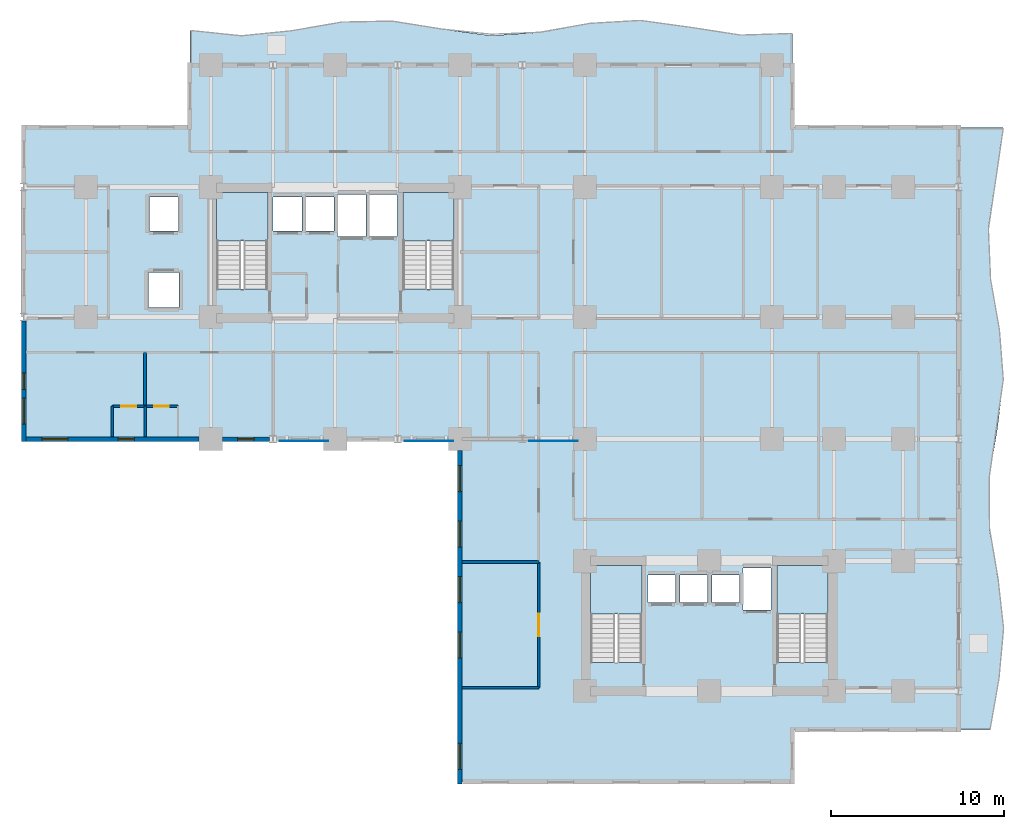
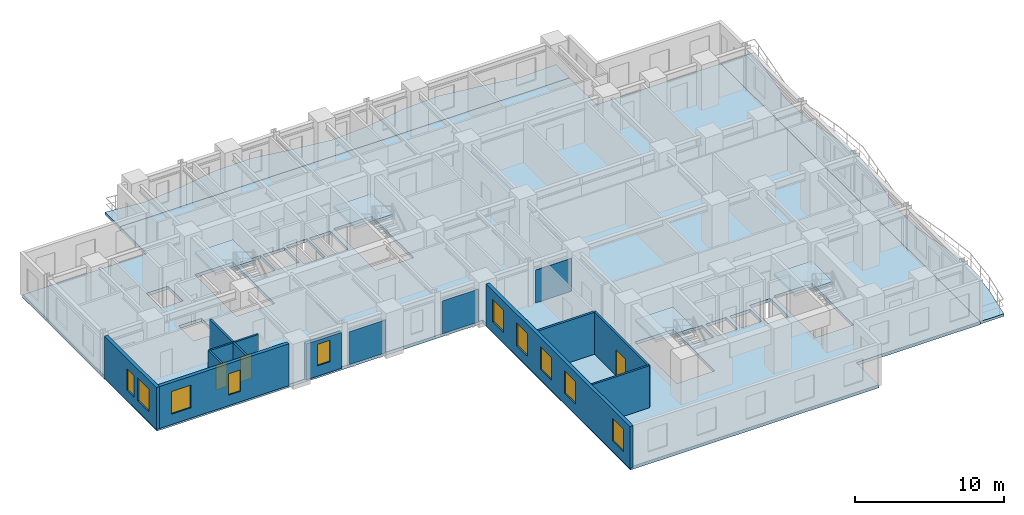
# One storey, part 2 of 11: 12 walls, 10 windows, 7 slabs, 3 doors, 3 plates, 13 openings, 4 elements without a shape of their own.
"""IFC4 building model written with IfcOpenShell, lengths in metres."""

from ifc_helpers import new_model, si_unit, direction, frame, frame_2d, origin, origin_2d, place, context, subcontext, project, spatial, polyline, rectangle, outline, extrude, source, transform, mapped, material, layer, layer_set, type_object, element, fill, aggregate, save


model = new_model("IFC4")

# Units and contexts
model_context = context("Model", 3, precision=1e-05, world=origin(), true_north=direction((0.0, 1.0)))
body_context = subcontext(model_context, "Body", "Model", "MODEL_VIEW")
ifc_project = project(units=[si_unit("LENGTHUNIT", "METRE"), si_unit("AREAUNIT", "SQUARE_METRE"), si_unit("VOLUMEUNIT", "CUBIC_METRE"), si_unit("PLANEANGLEUNIT", "RADIAN"), si_unit("MASSUNIT", "GRAM", prefix="KILO")], contexts=[model_context])

# Site, building, storey
site_placement = place(None, origin())
site = spatial("IfcSite", under=ifc_project, at=site_placement, CompositionType="ELEMENT")
building_placement = place(site_placement, origin())
building = spatial("IfcBuilding", under=site, at=building_placement, Name="Kaliganga Portal Commons", CompositionType="ELEMENT")
storey_placement = place(building_placement, frame((0.0, 0.0, 51.199951171875)))
storey = spatial("IfcBuildingStorey", under=building, at=storey_placement, Name="L12", CompositionType="ELEMENT", Elevation=51.199951171875)

# Slabs
ifc_material_1 = material(Name="Concrete C40/50", Category="concrete")
ifc_layer_1 = layer(ifc_material_1, 0.2099609375)
ifc_layer_set_1 = layer_set([ifc_layer_1], Name="Concrete C40/50")
slab_type_1 = type_object("IfcSlabType", Name="SLB-BALC-210", PredefinedType="FLOOR", material=ifc_layer_set_1)
slab_1_placement = place(storey_placement, frame((0.0, 0.0, -0.2099609375)))
element("IfcSlab", 1, at=slab_1_placement, inside=storey, type_object=slab_type_1, Name="Scalloped Tree-Planter Balcony Slab L12 balc_north", PredefinedType="FLOOR", context=body_context, shape_type="SweptSolid", body=[
    extrude(outline(polyline([(48.0, 43.199951171875), (48.0, 45.020263671875), (45.10009765625, 44.927978515625), (42.199951171875, 45.376708984375), (39.300048828125, 45.781982421875), (36.39990234375, 45.615478515625), (33.5, 45.094482421875), (30.60009765625, 44.8974609375), (27.699951171875, 45.28125), (24.800048828125, 45.745849609375), (21.89990234375, 45.685791015625), (19.0, 45.1796875), (16.10009765625, 44.886474609375), (13.199951171875, 45.1884765625), (13.199951171875, 43.199951171875), (48.0, 43.199951171875)])), origin(), (0.0, 0.0, 1.0), 0.2099609375),
])
slab_2_placement = place(storey_placement, frame((0.0, 0.0, -0.2099609375)))
element("IfcSlab", 2, at=slab_2_placement, inside=storey, type_object=slab_type_1, Name="Scalloped Tree-Planter Balcony Slab L12 balc_east", PredefinedType="FLOOR", context=body_context, shape_type="SweptSolid", body=[
    extrude(outline(polyline([(57.60009765625, 4.800048828125), (59.42041015625, 4.800048828125), (59.933349609375, 7.699951171875), (60.19873046875, 10.60009765625), (59.87060546875, 13.5), (59.376708984375, 16.39990234375), (59.360107421875, 19.300048828125), (59.843017578125, 22.199951171875), (60.19580078125, 25.10009765625), (59.958984375, 28.0), (59.441162109375, 30.89990234375), (59.31689453125, 33.800048828125), (59.748046875, 36.699951171875), (60.173095703125, 39.60009765625), (57.60009765625, 39.60009765625), (57.60009765625, 4.800048828125)])), origin(), (0.0, 0.0, 1.0), 0.2099609375),
])

# Stair, slab
stair_type = type_object("IfcStairType", Name="ST-CORE-DOGLEG", PredefinedType="HALF_TURN_STAIR", material=ifc_material_1)
stair_1_placement = place(storey_placement, origin())
stair_1 = element("IfcStair", 3, at=stair_1_placement, inside=storey, type_object=stair_type, Name="L12 Protected Exit Stair ST-A1", PredefinedType="HALF_TURN_STAIR")
ifc_layer_2 = layer(ifc_material_1, 0.199951171875)
ifc_layer_set_2 = layer_set([ifc_layer_2], Name="Concrete C40/50")
slab_type_2 = type_object("IfcSlabType", Name="SLB-STAIR-LND", PredefinedType="LANDING", material=ifc_layer_set_2)
slab_3_placement = place(storey_placement, frame((0.0, 0.0, 1.650146484375)))
slab_3 = element("IfcSlab", 4, at=slab_3_placement, type_object=slab_type_2, Name="ST-A1 landing 1", PredefinedType="LANDING", context=body_context, shape_type="SweptSolid", body=[
    extrude(outline(polyline([(17.699951171875, 33.050048828125), (17.699951171875, 35.85009765625), (14.75, 35.85009765625), (14.75, 33.050048828125), (17.699951171875, 33.050048828125)])), origin(), (0.0, 0.0, 1.0), 0.199951171875),
])
aggregate(stair_1, [slab_3])

stair_2_placement = place(storey_placement, origin())
stair_2 = element("IfcStair", 5, at=stair_2_placement, inside=storey, type_object=stair_type, Name="L12 Protected Exit Stair ST-A2", PredefinedType="HALF_TURN_STAIR")
slab_4_placement = place(storey_placement, frame((0.0, 0.0, 1.650146484375)))
slab_4 = element("IfcSlab", 6, at=slab_4_placement, type_object=slab_type_2, Name="ST-A2 landing 1", PredefinedType="LANDING", context=body_context, shape_type="SweptSolid", body=[
    extrude(outline(polyline([(28.449951171875, 33.050048828125), (28.449951171875, 35.85009765625), (25.5, 35.85009765625), (25.5, 33.050048828125), (28.449951171875, 33.050048828125)])), origin(), (0.0, 0.0, 1.0), 0.199951171875),
])
aggregate(stair_2, [slab_4])

stair_3_placement = place(storey_placement, origin())
stair_3 = element("IfcStair", 7, at=stair_3_placement, inside=storey, type_object=stair_type, Name="L12 Protected Exit Stair ST-B1", PredefinedType="HALF_TURN_STAIR")
slab_5_placement = place(storey_placement, frame((0.0, 0.0, 1.650146484375)))
slab_5 = element("IfcSlab", 8, at=slab_5_placement, type_object=slab_type_2, Name="ST-B1 landing 1", PredefinedType="LANDING", context=body_context, shape_type="SweptSolid", body=[
    extrude(outline(polyline([(39.300048828125, 11.5), (39.300048828125, 14.300048828125), (36.35009765625, 14.300048828125), (36.35009765625, 11.5), (39.300048828125, 11.5)])), origin(), (0.0, 0.0, 1.0), 0.199951171875),
])
aggregate(stair_3, [slab_5])

stair_4_placement = place(storey_placement, origin())
stair_4 = element("IfcStair", 9, at=stair_4_placement, inside=storey, type_object=stair_type, Name="L12 Protected Exit Stair ST-B2", PredefinedType="HALF_TURN_STAIR")
slab_6_placement = place(storey_placement, frame((0.0, 0.0, 1.650146484375)))
slab_6 = element("IfcSlab", 10, at=slab_6_placement, type_object=slab_type_2, Name="ST-B2 landing 1", PredefinedType="LANDING", context=body_context, shape_type="SweptSolid", body=[
    extrude(outline(polyline([(50.050048828125, 11.5), (50.050048828125, 14.300048828125), (47.10009765625, 14.300048828125), (47.10009765625, 11.5), (50.050048828125, 11.5)])), origin(), (0.0, 0.0, 1.0), 0.199951171875),
])
aggregate(stair_4, [slab_6])

# Slab
ifc_layer_3 = layer(ifc_material_1, 0.25)
ifc_layer_set_3 = layer_set([ifc_layer_3], Name="Concrete C40/50")
slab_type_3 = type_object("IfcSlabType", Name="SLB-TWR-250", PredefinedType="FLOOR", material=ifc_layer_set_3)
slab_7_placement = place(storey_placement, frame((0.0, 0.0, -0.25)))
element("IfcSlab", 11, at=slab_7_placement, inside=storey, type_object=slab_type_3, Name="Structural Floor Slab L12", PredefinedType="FLOOR", context=body_context, shape_type="SweptSolid", body=[
    extrude(outline(polyline([(28.800048828125, 1.800048828125), (48.0, 1.800048828125), (48.0, 4.800048828125), (57.60009765625, 4.800048828125), (57.60009765625, 39.60009765625), (48.0, 39.60009765625), (48.0, 43.199951171875), (13.199951171875, 43.199951171875), (13.199951171875, 39.60009765625), (3.60009765625, 39.60009765625), (3.60009765625, 21.60009765625), (28.800048828125, 21.60009765625), (28.800048828125, 1.800048828125)]), holes=[polyline([(14.75, 30.25390625), (14.75, 35.85009765625), (17.699951171875, 35.85009765625), (17.699951171875, 30.25390625), (14.75, 30.25390625)]), polyline([(25.5, 30.25390625), (25.5, 35.85009765625), (28.449951171875, 35.85009765625), (28.449951171875, 30.25390625), (25.5, 30.25390625)]), polyline([(36.35009765625, 8.7041015625), (36.35009765625, 14.300048828125), (39.300048828125, 14.300048828125), (39.300048828125, 8.7041015625), (36.35009765625, 8.7041015625)]), polyline([(47.10009765625, 8.7041015625), (47.10009765625, 14.300048828125), (50.050048828125, 14.300048828125), (50.050048828125, 8.7041015625), (47.10009765625, 8.7041015625)]), polyline([(18.014892578125, 33.614990234375), (18.014892578125, 35.5849609375), (19.68505859375, 35.5849609375), (19.68505859375, 33.614990234375), (18.014892578125, 33.614990234375)]), polyline([(19.864990234375, 33.614990234375), (19.864990234375, 35.5849609375), (21.534912109375, 35.5849609375), (21.534912109375, 33.614990234375), (19.864990234375, 33.614990234375)]), polyline([(10.81494140625, 29.18994140625), (10.81494140625, 31.2099609375), (12.5849609375, 31.2099609375), (12.5849609375, 29.18994140625), (10.81494140625, 29.18994140625)]), polyline([(10.864990234375, 33.614990234375), (10.864990234375, 35.5849609375), (12.534912109375, 35.5849609375), (12.534912109375, 33.614990234375), (10.864990234375, 33.614990234375)]), polyline([(21.739990234375, 33.2900390625), (21.739990234375, 35.7099609375), (23.360107421875, 35.7099609375), (23.360107421875, 33.2900390625), (21.739990234375, 33.2900390625)]), polyline([(23.5400390625, 33.2900390625), (23.5400390625, 35.7099609375), (25.159912109375, 35.7099609375), (25.159912109375, 33.2900390625), (23.5400390625, 33.2900390625)]), polyline([(39.6650390625, 12.1650390625), (39.6650390625, 13.735107421875), (41.235107421875, 13.735107421875), (41.235107421875, 12.1650390625), (39.6650390625, 12.1650390625)]), polyline([(41.514892578125, 12.1650390625), (41.514892578125, 13.735107421875), (43.0849609375, 13.735107421875), (43.0849609375, 12.1650390625), (41.514892578125, 12.1650390625)]), polyline([(43.364990234375, 12.1650390625), (43.364990234375, 13.735107421875), (44.93505859375, 13.735107421875), (44.93505859375, 12.1650390625), (43.364990234375, 12.1650390625)]), polyline([(45.139892578125, 11.739990234375), (45.139892578125, 14.159912109375), (46.760009765625, 14.159912109375), (46.760009765625, 11.739990234375), (45.139892578125, 11.739990234375)])]), origin(), (0.0, 0.0, 1.0), 0.25),
])

# Plates
ifc_material_2 = material(Name="Perforated Bronze-Anodized Aluminium Solar Screen", Category="aluminium")
ifc_layer_4 = layer(ifc_material_2, 0.01806640625)
ifc_layer_set_4 = layer_set([ifc_layer_4], Name="Perforated Bronze-Anodized Aluminium Solar Screen")
plate_type = type_object("IfcPlateType", Name="PLT-SCR-18", PredefinedType="USERDEFINED", material=ifc_layer_set_4)
shared_shape = source(origin(), body_context, "Body", "SweptSolid", [
    extrude(rectangle(XDim=2.800048828125, YDim=0.01806640625, at=origin_2d()), origin(), (0.0, 0.0, 1.0), 2.68994140625),
])
for number, where, z_axis, x_axis, name in (
    (12, (19.800048828125, 21.47998046875, 0.080078125), (0.0, 0.0, 1.0), (1.0, 0.0, 0.0), "Perforated Solar Screen L12-S1"),
    (13, (27.0, 21.47998046875, 0.080078125), (0.0, 0.0, 1.0), (1.0, 0.0, 0.0), "Perforated Solar Screen L12-S2"),
    (14, (34.199951171875, 21.47998046875, 0.080078125), (0.0, 0.0, 1.0), (1.0, 0.0, 0.0), "Perforated Solar Screen L12-S3"),
):
    element("IfcPlate", number, at=place(storey_placement, frame(where, z_axis=z_axis, x_axis=x_axis)), inside=storey, type_object=plate_type, Name=name, ObjectType="SOLAR SCREEN", PredefinedType="USERDEFINED", context=body_context, shape_type="MappedRepresentation", body=[
        mapped(shared_shape, transform((0.0, 0.0, 0.0), x_axis=(1.0, 0.0, 0.0), y_axis=(0.0, 1.0, 0.0), z_axis=(0.0, 0.0, 1.0), scale=1.0)),
    ])

# Wall, openings, windows
ifc_material_3 = material(Name="Insulated Aluminium-Clad Spandrel Assembly", Category="aluminium")
ifc_layer_5 = layer(ifc_material_3, 0.260009765625)
ifc_layer_set_5 = layer_set([ifc_layer_5], Name="Insulated Aluminium-Clad Spandrel Assembly")
wall_type_1 = type_object("IfcWallType", Name="WL-EXT-SPAND-260", PredefinedType="STANDARD", material=ifc_layer_set_5)
wall_1_placement = place(storey_placement, frame((3.60009765625, 21.469970703125, 0.0), z_axis=(0.0, 0.0, 1.0), x_axis=(0.0, 1.0, 0.0)))
wall_1 = element("IfcWall", 15, at=wall_1_placement, inside=storey, type_object=wall_type_1, Name="Exterior Envelope Wall L12 P1-E09-S3", PredefinedType="STANDARD", context=body_context, shape_type="SweptSolid", body=[
    extrude(rectangle(XDim=6.9560546875, YDim=0.260009765625, at=frame_2d((3.47802734375, 0.0))), origin(), (0.0, 0.0, 1.0), 3.429931640625),
])
opening_1_placement = place(wall_1_placement, frame((0.989013671875, 0.0, 0.85009765625)))
opening_1 = element("IfcOpeningElement", 16, at=opening_1_placement, cuts=wall_1, Name="Opening W-02", PredefinedType="OPENING", context=body_context, shape_type="SweptSolid", body=[
    extrude(rectangle(XDim=1.5, YDim=1.85009765625, at=frame_2d((0.75, 0.925048828125))), frame((0.0, 0.14013671875, 0.0), z_axis=(0.0, -1.0, 0.0), x_axis=(1.0, 0.0, 0.0)), (0.0, 0.0, 1.0), 0.280029296875),
])
opening_2_placement = place(wall_1_placement, frame((3.0029296875, 0.0, 0.85009765625)))
opening_2 = element("IfcOpeningElement", 17, at=opening_2_placement, cuts=wall_1, Name="Opening W-04", PredefinedType="OPENING", context=body_context, shape_type="SweptSolid", body=[
    extrude(rectangle(XDim=0.949951171875, YDim=1.75, at=frame_2d((0.47509765625, 0.875))), frame((0.0, 0.14013671875, 0.0), z_axis=(0.0, -1.0, 0.0), x_axis=(1.0, 0.0, 0.0)), (0.0, 0.0, 1.0), 0.280029296875),
])
ifc_material_4 = material(Name="Thermally Broken Aluminium and Low-E Double Glazing", Category="aluminium")
window_type_1 = type_object("IfcWindowType", Name="WIN-NARROW-950", PartitioningType="SINGLE_PANEL", PredefinedType="WINDOW", material=ifc_material_4)
window_1_placement = place(opening_2_placement, origin())
window_1 = element("IfcWindow", 18, at=window_1_placement, inside=storey, type_object=window_type_1, Name="Facade Window L12-P1E09S3-N0", OverallHeight=1.75, OverallWidth=0.949951171875, PartitioningType="SINGLE_PANEL", PredefinedType="WINDOW", context=body_context, shape_type="SweptSolid", body=[
    extrude(rectangle(XDim=0.949951171875, YDim=1.75, at=frame_2d((0.47509765625, 0.875))), frame((0.0, 0.030029296875, 0.0), z_axis=(0.0, -1.0, 0.0), x_axis=(1.0, 0.0, 0.0)), (0.0, 0.0, 1.0), 0.06005859375),
])
fill(opening_2, window_1)
window_type_2 = type_object("IfcWindowType", Name="WIN-STD-1500", PartitioningType="DOUBLE_PANEL_VERTICAL", PredefinedType="WINDOW", material=ifc_material_4)
window_2_placement = place(opening_1_placement, origin())
window_2 = element("IfcWindow", 19, at=window_2_placement, inside=storey, type_object=window_type_2, Name="Facade Window L12-P1E09S3-00", OverallHeight=1.85009765625, OverallWidth=1.5, PartitioningType="SINGLE_PANEL", PredefinedType="WINDOW", context=body_context, shape_type="SweptSolid", body=[
    extrude(rectangle(XDim=1.5, YDim=1.85009765625, at=frame_2d((0.75, 0.925048828125))), frame((0.0, 0.030029296875, 0.0), z_axis=(0.0, -1.0, 0.0), x_axis=(1.0, 0.0, 0.0)), (0.0, 0.0, 1.0), 0.06005859375),
])
fill(opening_1, window_2)

wall_2_placement = place(storey_placement, frame((13.72412109375, 21.60009765625, 0.0), z_axis=(0.0, 0.0, 1.0), x_axis=(-1.0, 0.0, 0.0)))
wall_2 = element("IfcWall", 20, at=wall_2_placement, inside=storey, type_object=wall_type_1, Name="Exterior Envelope Wall L12 P1-E10-S1", PredefinedType="STANDARD", context=body_context, shape_type="SweptSolid", body=[
    extrude(rectangle(XDim=9.989013671875, YDim=0.260009765625, at=frame_2d((4.99462890625, 0.0))), origin(), (0.0, 0.0, 1.0), 3.429931640625),
])
opening_3_placement = place(wall_2_placement, frame((7.57421875, 0.0, 0.85009765625)))
opening_3 = element("IfcOpeningElement", 21, at=opening_3_placement, cuts=wall_2, Name="Opening W-02", PredefinedType="OPENING", context=body_context, shape_type="SweptSolid", body=[
    extrude(rectangle(XDim=1.5, YDim=1.85009765625, at=frame_2d((0.75, 0.925048828125))), frame((0.0, 0.14013671875, 0.0), z_axis=(0.0, -1.0, 0.0), x_axis=(1.0, 0.0, 0.0)), (0.0, 0.0, 1.0), 0.280029296875),
])
opening_4_placement = place(wall_2_placement, frame((3.720458984375, 0.0, 0.85009765625)))
opening_4 = element("IfcOpeningElement", 22, at=opening_4_placement, cuts=wall_2, Name="Opening W-04", PredefinedType="OPENING", context=body_context, shape_type="SweptSolid", body=[
    extrude(rectangle(XDim=0.949951171875, YDim=1.75, at=frame_2d((0.47509765625, 0.875))), frame((0.0, 0.14013671875, 0.0), z_axis=(0.0, -1.0, 0.0), x_axis=(1.0, 0.0, 0.0)), (0.0, 0.0, 1.0), 0.280029296875),
])
window_3_placement = place(opening_4_placement, origin())
window_3 = element("IfcWindow", 23, at=window_3_placement, inside=storey, type_object=window_type_1, Name="Facade Window L12-P1E10S1-N5", OverallHeight=1.75, OverallWidth=0.949951171875, PartitioningType="SINGLE_PANEL", PredefinedType="WINDOW", context=body_context, shape_type="SweptSolid", body=[
    extrude(rectangle(XDim=0.949951171875, YDim=1.75, at=frame_2d((0.47509765625, 0.875))), frame((0.0, 0.030029296875, 0.0), z_axis=(0.0, -1.0, 0.0), x_axis=(1.0, 0.0, 0.0)), (0.0, 0.0, 1.0), 0.06005859375),
])
fill(opening_4, window_3)
window_4_placement = place(opening_3_placement, origin())
window_4 = element("IfcWindow", 24, at=window_4_placement, inside=storey, type_object=window_type_2, Name="Facade Window L12-P1E10S1-02", OverallHeight=1.85009765625, OverallWidth=1.5, PartitioningType="SINGLE_PANEL", PredefinedType="WINDOW", context=body_context, shape_type="SweptSolid", body=[
    extrude(rectangle(XDim=1.5, YDim=1.85009765625, at=frame_2d((0.75, 0.925048828125))), frame((0.0, 0.030029296875, 0.0), z_axis=(0.0, -1.0, 0.0), x_axis=(1.0, 0.0, 0.0)), (0.0, 0.0, 1.0), 0.06005859375),
])
fill(opening_3, window_4)

# Wall, opening, window
wall_3_placement = place(storey_placement, frame((17.791015625, 21.60009765625, 0.0), z_axis=(0.0, 0.0, 1.0), x_axis=(-1.0, 0.0, 0.0)))
wall_3 = element("IfcWall", 25, at=wall_3_placement, inside=storey, type_object=wall_type_1, Name="Exterior Envelope Wall L12 P1-E10-S2", PredefinedType="STANDARD", context=body_context, shape_type="SweptSolid", body=[
    extrude(rectangle(XDim=2.715087890625, YDim=0.260009765625, at=frame_2d((1.357421875, 0.0))), origin(), (0.0, 0.0, 1.0), 2.929931640625),
])
opening_5_placement = place(wall_3_placement, frame((0.882568359375, 0.0, 0.85009765625)))
opening_5 = element("IfcOpeningElement", 26, at=opening_5_placement, cuts=wall_3, Name="Opening W-04", PredefinedType="OPENING", context=body_context, shape_type="SweptSolid", body=[
    extrude(rectangle(XDim=0.949951171875, YDim=1.75, at=frame_2d((0.47509765625, 0.875))), frame((0.0, 0.14013671875, 0.0), z_axis=(0.0, -1.0, 0.0), x_axis=(1.0, 0.0, 0.0)), (0.0, 0.0, 1.0), 0.280029296875),
])
window_5_placement = place(opening_5_placement, origin())
window_5 = element("IfcWindow", 27, at=window_5_placement, inside=storey, type_object=window_type_1, Name="Facade Window L12-P1E10S2-00", OverallHeight=1.75, OverallWidth=0.949951171875, PartitioningType="SINGLE_PANEL", PredefinedType="WINDOW", context=body_context, shape_type="SweptSolid", body=[
    extrude(rectangle(XDim=0.949951171875, YDim=1.75, at=frame_2d((0.47509765625, 0.875))), frame((0.0, 0.030029296875, 0.0), z_axis=(0.0, -1.0, 0.0), x_axis=(1.0, 0.0, 0.0)), (0.0, 0.0, 1.0), 0.06005859375),
])
fill(opening_5, window_5)

# Wall, openings, windows
wall_4_placement = place(storey_placement, frame((28.800048828125, 1.669921875, 0.0), z_axis=(0.0, 0.0, 1.0), x_axis=(0.0, 1.0, 0.0)))
wall_4 = element("IfcWall", 28, at=wall_4_placement, inside=storey, type_object=wall_type_1, Name="Exterior Envelope Wall L12 P1-E11-S1", PredefinedType="STANDARD", context=body_context, shape_type="SweptSolid", body=[
    extrude(rectangle(XDim=19.254150390625, YDim=0.260009765625, at=frame_2d((9.626953125, 0.0))), origin(), (0.0, 0.0, 1.0), 3.429931640625),
])
opening_6_placement = place(wall_4_placement, frame((0.8544921875, 0.0, 0.85009765625)))
opening_6 = element("IfcOpeningElement", 29, at=opening_6_placement, cuts=wall_4, Name="Opening W-02", PredefinedType="OPENING", context=body_context, shape_type="SweptSolid", body=[
    extrude(rectangle(XDim=1.5, YDim=1.85009765625, at=frame_2d((0.75, 0.925048828125))), frame((0.0, 0.14013671875, 0.0), z_axis=(0.0, -1.0, 0.0), x_axis=(1.0, 0.0, 0.0)), (0.0, 0.0, 1.0), 0.280029296875),
])
opening_7_placement = place(wall_4_placement, frame((7.2724609375, 0.0, 0.85009765625)))
opening_7 = element("IfcOpeningElement", 30, at=opening_7_placement, cuts=wall_4, Name="Opening W-02", PredefinedType="OPENING", context=body_context, shape_type="SweptSolid", body=[
    extrude(rectangle(XDim=1.5, YDim=1.85009765625, at=frame_2d((0.75, 0.925048828125))), frame((0.0, 0.14013671875, 0.0), z_axis=(0.0, -1.0, 0.0), x_axis=(1.0, 0.0, 0.0)), (0.0, 0.0, 1.0), 0.280029296875),
])
opening_8_placement = place(wall_4_placement, frame((10.4814453125, 0.0, 0.85009765625)))
opening_8 = element("IfcOpeningElement", 31, at=opening_8_placement, cuts=wall_4, Name="Opening W-02", PredefinedType="OPENING", context=body_context, shape_type="SweptSolid", body=[
    extrude(rectangle(XDim=1.5, YDim=1.85009765625, at=frame_2d((0.75, 0.925048828125))), frame((0.0, 0.14013671875, 0.0), z_axis=(0.0, -1.0, 0.0), x_axis=(1.0, 0.0, 0.0)), (0.0, 0.0, 1.0), 0.280029296875),
])
opening_9_placement = place(wall_4_placement, frame((13.6904296875, 0.0, 0.85009765625)))
opening_9 = element("IfcOpeningElement", 32, at=opening_9_placement, cuts=wall_4, Name="Opening W-02", PredefinedType="OPENING", context=body_context, shape_type="SweptSolid", body=[
    extrude(rectangle(XDim=1.5, YDim=1.85009765625, at=frame_2d((0.75, 0.925048828125))), frame((0.0, 0.14013671875, 0.0), z_axis=(0.0, -1.0, 0.0), x_axis=(1.0, 0.0, 0.0)), (0.0, 0.0, 1.0), 0.280029296875),
])
opening_10_placement = place(wall_4_placement, frame((16.8994140625, 0.0, 0.85009765625)))
opening_10 = element("IfcOpeningElement", 33, at=opening_10_placement, cuts=wall_4, Name="Opening W-02", PredefinedType="OPENING", context=body_context, shape_type="SweptSolid", body=[
    extrude(rectangle(XDim=1.5, YDim=1.85009765625, at=frame_2d((0.75, 0.925048828125))), frame((0.0, 0.14013671875, 0.0), z_axis=(0.0, -1.0, 0.0), x_axis=(1.0, 0.0, 0.0)), (0.0, 0.0, 1.0), 0.280029296875),
])
window_6_placement = place(opening_6_placement, origin())
window_6 = element("IfcWindow", 34, at=window_6_placement, inside=storey, type_object=window_type_2, Name="Facade Window L12-P1E11S1-00", OverallHeight=1.85009765625, OverallWidth=1.5, PartitioningType="SINGLE_PANEL", PredefinedType="WINDOW", context=body_context, shape_type="SweptSolid", body=[
    extrude(rectangle(XDim=1.5, YDim=1.85009765625, at=frame_2d((0.75, 0.925048828125))), frame((0.0, 0.030029296875, 0.0), z_axis=(0.0, -1.0, 0.0), x_axis=(1.0, 0.0, 0.0)), (0.0, 0.0, 1.0), 0.06005859375),
])
fill(opening_6, window_6)
window_7_placement = place(opening_7_placement, origin())
window_7 = element("IfcWindow", 35, at=window_7_placement, inside=storey, type_object=window_type_2, Name="Facade Window L12-P1E11S1-02", OverallHeight=1.85009765625, OverallWidth=1.5, PartitioningType="SINGLE_PANEL", PredefinedType="WINDOW", context=body_context, shape_type="SweptSolid", body=[
    extrude(rectangle(XDim=1.5, YDim=1.85009765625, at=frame_2d((0.75, 0.925048828125))), frame((0.0, 0.030029296875, 0.0), z_axis=(0.0, -1.0, 0.0), x_axis=(1.0, 0.0, 0.0)), (0.0, 0.0, 1.0), 0.06005859375),
])
fill(opening_7, window_7)
window_8_placement = place(opening_8_placement, origin())
window_8 = element("IfcWindow", 36, at=window_8_placement, inside=storey, type_object=window_type_2, Name="Facade Window L12-P1E11S1-03", OverallHeight=1.85009765625, OverallWidth=1.5, PartitioningType="SINGLE_PANEL", PredefinedType="WINDOW", context=body_context, shape_type="SweptSolid", body=[
    extrude(rectangle(XDim=1.5, YDim=1.85009765625, at=frame_2d((0.75, 0.925048828125))), frame((0.0, 0.030029296875, 0.0), z_axis=(0.0, -1.0, 0.0), x_axis=(1.0, 0.0, 0.0)), (0.0, 0.0, 1.0), 0.06005859375),
])
fill(opening_8, window_8)
window_9_placement = place(opening_9_placement, origin())
window_9 = element("IfcWindow", 37, at=window_9_placement, inside=storey, type_object=window_type_2, Name="Facade Window L12-P1E11S1-04", OverallHeight=1.85009765625, OverallWidth=1.5, PartitioningType="SINGLE_PANEL", PredefinedType="WINDOW", context=body_context, shape_type="SweptSolid", body=[
    extrude(rectangle(XDim=1.5, YDim=1.85009765625, at=frame_2d((0.75, 0.925048828125))), frame((0.0, 0.030029296875, 0.0), z_axis=(0.0, -1.0, 0.0), x_axis=(1.0, 0.0, 0.0)), (0.0, 0.0, 1.0), 0.06005859375),
])
fill(opening_9, window_9)
window_10_placement = place(opening_10_placement, origin())
window_10 = element("IfcWindow", 38, at=window_10_placement, inside=storey, type_object=window_type_2, Name="Facade Window L12-P1E11S1-05", OverallHeight=1.85009765625, OverallWidth=1.5, PartitioningType="SINGLE_PANEL", PredefinedType="WINDOW", context=body_context, shape_type="SweptSolid", body=[
    extrude(rectangle(XDim=1.5, YDim=1.85009765625, at=frame_2d((0.75, 0.925048828125))), frame((0.0, 0.030029296875, 0.0), z_axis=(0.0, -1.0, 0.0), x_axis=(1.0, 0.0, 0.0)), (0.0, 0.0, 1.0), 0.06005859375),
])
fill(opening_10, window_10)

# Wall, opening, door
ifc_material_5 = material(Name="Fire-Rated Gypsum Board on Steel Stud", Category="steel")
ifc_layer_6 = layer(ifc_material_5, 0.14990234375)
ifc_layer_set_6 = layer_set([ifc_layer_6], Name="Fire-Rated Gypsum Board on Steel Stud")
wall_type_2 = type_object("IfcWallType", Name="WL-PART-CORR-150", PredefinedType="PARTITIONING", material=ifc_layer_set_6)
wall_5_placement = place(storey_placement, frame((33.360107421875, 7.239990234375, 0.0), z_axis=(0.0, 0.0, 1.0), x_axis=(0.0, 1.0, 0.0)))
wall_5 = element("IfcWall", 39, at=wall_5_placement, inside=storey, type_object=wall_type_2, Name="Interior Partition L12-015", PredefinedType="PARTITIONING", context=body_context, shape_type="SweptSolid", body=[
    extrude(rectangle(XDim=7.260009765625, YDim=0.14990234375, at=frame_2d((3.6298828125, 0.0))), origin(), (0.0, 0.0, 1.0), 3.429931640625),
])
opening_11_placement = place(wall_5_placement, frame((2.97998046875, 0.0, 0.0)))
opening_11 = element("IfcOpeningElement", 40, at=opening_11_placement, cuts=wall_5, Name="Opening RD-03", PredefinedType="OPENING", context=body_context, shape_type="SweptSolid", body=[
    extrude(rectangle(XDim=1.300048828125, YDim=2.1201171875, at=frame_2d((0.64990234375, 1.06005859375))), frame((0.0, 0.0849609375, 0.0), z_axis=(0.0, -1.0, 0.0), x_axis=(1.0, 0.0, 0.0)), (0.0, 0.0, 1.0), 0.169921875),
])
ifc_material_6 = material(Name="Glazed Timber Seminar Vision Door", Category="wood")
door_type_1 = type_object("IfcDoorType", Name="DR-STUDY-1300", OperationType="DOUBLE_DOOR_SINGLE_SWING", PredefinedType="DOOR", material=ifc_material_6)
door_1_placement = place(opening_11_placement, origin())
door_1 = element("IfcDoor", 41, at=door_1_placement, inside=storey, type_object=door_type_1, Name="Interior Door L12-KW01", OperationType="DOUBLE_DOOR_SINGLE_SWING", OverallHeight=2.1201171875, OverallWidth=1.300048828125, PredefinedType="DOOR", context=body_context, shape_type="SweptSolid", body=[
    extrude(rectangle(XDim=1.300048828125, YDim=2.1201171875, at=frame_2d((0.64990234375, 1.06005859375))), frame((0.0, 0.02490234375, 0.0), z_axis=(0.0, -1.0, 0.0), x_axis=(1.0, 0.0, 0.0)), (0.0, 0.0, 1.0), 0.050048828125),
])
fill(opening_11, door_1)

# Walls
wall_6_placement = place(storey_placement, frame((28.931884765625, 7.239990234375, 0.0), z_axis=(0.0, 0.0, 1.0), x_axis=(1.0, 0.0, 0.0)))
element("IfcWall", 42, at=wall_6_placement, inside=storey, type_object=wall_type_2, Name="Interior Partition L12-033", PredefinedType="PARTITIONING", context=body_context, shape_type="SweptSolid", body=[
    extrude(rectangle(XDim=4.42822265625, YDim=0.14990234375, at=frame_2d((2.214111328125, 0.0))), origin(), (0.0, 0.0, 1.0), 3.429931640625),
])
ifc_material_7 = material(Name="Twin-Stud Acoustic Gypsum Partition", Category="gypsum")
ifc_layer_7 = layer(ifc_material_7, 0.1650390625)
ifc_layer_set_7 = layer_set([ifc_layer_7], Name="Twin-Stud Acoustic Gypsum Partition")
wall_type_3 = type_object("IfcWallType", Name="WL-PART-UNIT-165", PredefinedType="PARTITIONING", material=ifc_layer_set_7)
wall_7_placement = place(storey_placement, frame((28.931884765625, 14.5, 0.0), z_axis=(0.0, 0.0, 1.0), x_axis=(1.0, 0.0, 0.0)))
element("IfcWall", 43, at=wall_7_placement, inside=storey, type_object=wall_type_3, Name="Interior Partition L12-074", PredefinedType="PARTITIONING", context=body_context, shape_type="SweptSolid", body=[
    extrude(rectangle(XDim=4.42822265625, YDim=0.1650390625, at=frame_2d((2.214111328125, 0.0))), origin(), (0.0, 0.0, 1.0), 3.429931640625),
])
wall_8_placement = place(storey_placement, frame((10.6201171875, 23.5, 0.0), z_axis=(0.0, 0.0, 1.0), x_axis=(0.0, 1.0, 0.0)))
element("IfcWall", 44, at=wall_8_placement, inside=storey, type_object=wall_type_3, Name="Interior Partition L12-079", PredefinedType="PARTITIONING", context=body_context, shape_type="SweptSolid", body=[
    extrude(rectangle(XDim=3.10009765625, YDim=0.1650390625, at=frame_2d((1.550048828125, 0.0))), origin(), (0.0, 0.0, 1.0), 3.429931640625),
])

# Wall, opening, door
ifc_material_8 = material(Name="Cement-Board Wet-Room Partition", Category="gypsum")
ifc_layer_8 = layer(ifc_material_8, 0.135009765625)
ifc_layer_set_8 = layer_set([ifc_layer_8], Name="Cement-Board Wet-Room Partition")
wall_type_4 = type_object("IfcWallType", Name="WL-PART-WET-135", PredefinedType="PARTITIONING", material=ifc_layer_set_8)
wall_9_placement = place(storey_placement, frame((10.6201171875, 23.5, 0.0), z_axis=(0.0, 0.0, 1.0), x_axis=(1.0, 0.0, 0.0)))
wall_9 = element("IfcWall", 45, at=wall_9_placement, inside=storey, type_object=wall_type_4, Name="Interior Partition L12-001", PredefinedType="PARTITIONING", context=body_context, shape_type="SweptSolid", body=[
    extrude(rectangle(XDim=1.89990234375, YDim=0.135009765625, at=frame_2d((0.949951171875, 0.0))), origin(), (0.0, 0.0, 1.0), 3.429931640625),
])
opening_12_placement = place(wall_9_placement, frame((0.52490234375, 0.0, 0.0)))
opening_12 = element("IfcOpeningElement", 46, at=opening_12_placement, cuts=wall_9, Name="Opening WD-01", PredefinedType="OPENING", context=body_context, shape_type="SweptSolid", body=[
    extrude(rectangle(XDim=0.85009765625, YDim=2.0400390625, at=frame_2d((0.425048828125, 1.02001953125))), frame((0.0, 0.07763671875, 0.0), z_axis=(0.0, -1.0, 0.0), x_axis=(1.0, 0.0, 0.0)), (0.0, 0.0, 1.0), 0.155029296875),
])
ifc_material_9 = material(Name="Moisture-Resistant Laminate Timber Door", Category="wood")
door_type_2 = type_object("IfcDoorType", Name="DR-WET-850", OperationType="NOTDEFINED", PredefinedType="DOOR", material=ifc_material_9)
door_2_placement = place(opening_12_placement, origin())
door_2 = element("IfcDoor", 47, at=door_2_placement, inside=storey, type_object=door_type_2, Name="Interior Door L12-AS02E", OperationType="SINGLE_SWING_RIGHT", OverallHeight=2.0400390625, OverallWidth=0.85009765625, PredefinedType="DOOR", context=body_context, shape_type="SweptSolid", body=[
    extrude(rectangle(XDim=0.85009765625, YDim=2.0400390625, at=frame_2d((0.425048828125, 1.02001953125))), frame((0.0, 0.02490234375, 0.0), z_axis=(0.0, -1.0, 0.0), x_axis=(1.0, 0.0, 0.0)), (0.0, 0.0, 1.0), 0.050048828125),
])
fill(opening_12, door_2)

wall_10_placement = place(storey_placement, frame((8.719970703125, 23.5, 0.0), z_axis=(0.0, 0.0, 1.0), x_axis=(1.0, 0.0, 0.0)))
wall_10 = element("IfcWall", 48, at=wall_10_placement, inside=storey, type_object=wall_type_4, Name="Interior Partition L12-002", PredefinedType="PARTITIONING", context=body_context, shape_type="SweptSolid", body=[
    extrude(rectangle(XDim=1.900146484375, YDim=0.135009765625, at=frame_2d((0.9501953125, 0.0))), origin(), (0.0, 0.0, 1.0), 3.429931640625),
])
opening_13_placement = place(wall_10_placement, frame((0.52490234375, 0.0, 0.0)))
opening_13 = element("IfcOpeningElement", 49, at=opening_13_placement, cuts=wall_10, Name="Opening WD-01", PredefinedType="OPENING", context=body_context, shape_type="SweptSolid", body=[
    extrude(rectangle(XDim=0.85009765625, YDim=2.0400390625, at=frame_2d((0.425048828125, 1.02001953125))), frame((0.0, 0.07763671875, 0.0), z_axis=(0.0, -1.0, 0.0), x_axis=(1.0, 0.0, 0.0)), (0.0, 0.0, 1.0), 0.155029296875),
])
door_3_placement = place(opening_13_placement, origin())
door_3 = element("IfcDoor", 50, at=door_3_placement, inside=storey, type_object=door_type_2, Name="Interior Door L12-AS01E", OperationType="SINGLE_SWING_LEFT", OverallHeight=2.0400390625, OverallWidth=0.85009765625, PredefinedType="DOOR", context=body_context, shape_type="SweptSolid", body=[
    extrude(rectangle(XDim=0.85009765625, YDim=2.0400390625, at=frame_2d((0.425048828125, 1.02001953125))), frame((0.0, 0.02490234375, 0.0), z_axis=(0.0, -1.0, 0.0), x_axis=(1.0, 0.0, 0.0)), (0.0, 0.0, 1.0), 0.050048828125),
])
fill(opening_13, door_3)

# Walls
for number, where, z_axis, x_axis, name in (
    (51, (8.719970703125, 21.73193359375, 0.0), (0.0, 0.0, 1.0), (0.0, 1.0, 0.0), "Interior Partition L12-003"),
    (52, (10.6201171875, 21.73193359375, 0.0), (0.0, 0.0, 1.0), (0.0, 1.0, 0.0), "Interior Partition L12-004"),
):
    element("IfcWall", number, at=place(storey_placement, frame(where, z_axis=z_axis, x_axis=x_axis)), inside=storey, type_object=wall_type_4, Name=name, PredefinedType="PARTITIONING", context=body_context, shape_type="SweptSolid", body=[
        extrude(rectangle(XDim=1.76806640625, YDim=0.135009765625, at=frame_2d((0.884033203125, 0.0))), origin(), (0.0, 0.0, 1.0), 3.429931640625),
    ])

save(model, "model.ifc")
